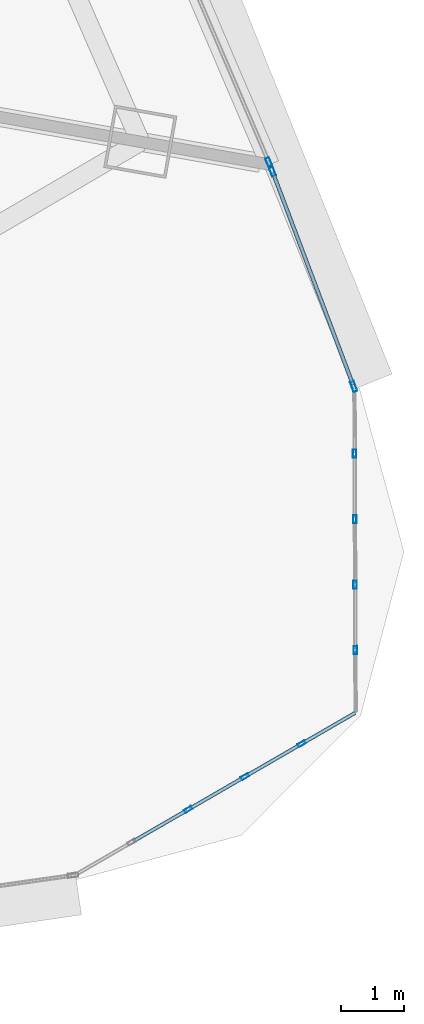
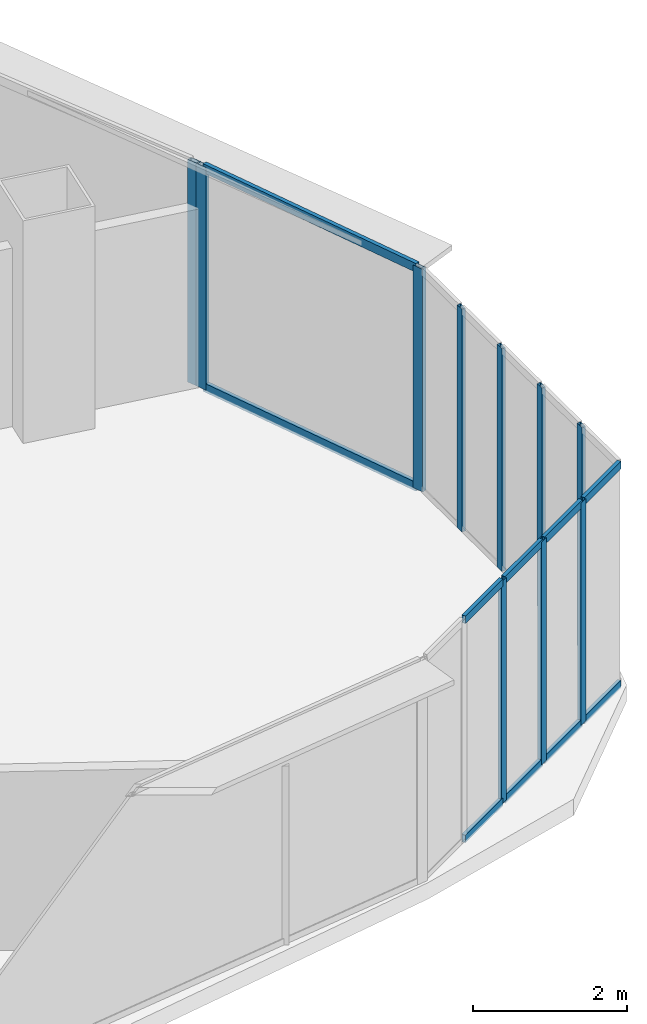
# One storey, part 22 of 39: 20 members, 4 elements without a shape of their own.
"""IFC4 building model written with IfcOpenShell, lengths in metres."""

from ifc_helpers import new_model, si_unit, direction, frame, origin, origin_2d, place, context, subcontext, project, spatial, hollow_rectangle, extrude, source, transform, mapped, material, layer, layer_set, material_profile, profile_set, type_object, element, aggregate, save


model = new_model("IFC4")

# Units and contexts
model_context = context("Model", 3, precision=1e-05, world=origin(), true_north=direction((0.0, 1.0)))
body_context = subcontext(model_context, "Body", "Model", "MODEL_VIEW")
ifc_project = project(units=[si_unit("LENGTHUNIT", "METRE"), si_unit("AREAUNIT", "SQUARE_METRE"), si_unit("VOLUMEUNIT", "CUBIC_METRE"), si_unit("PLANEANGLEUNIT", "RADIAN"), si_unit("MASSUNIT", "GRAM", prefix="KILO"), si_unit("THERMODYNAMICTEMPERATUREUNIT", "KELVIN"), si_unit("POWERUNIT", "WATT")], contexts=[model_context])

# Site, building, storey
site_placement = place(None, origin())
site = spatial("IfcSite", under=ifc_project, at=site_placement, CompositionType="ELEMENT")
building_placement = place(site_placement, origin())
building = spatial("IfcBuilding", under=site, at=building_placement, Name="Yunzhuo Pagoda Commons", CompositionType="ELEMENT")
storey_placement = place(building_placement, frame((0.0, 0.0, 100.179931640625)))
storey = spatial("IfcBuildingStorey", under=building, at=storey_placement, Name="L25", CompositionType="ELEMENT", Elevation=100.179931640625)

# Curtain wall, member
ifc_material = material(Name="Anodized aluminium 6063-T6", Category="aluminium")
ifc_layer_1 = layer(ifc_material, 0.1650390625)
ifc_layer_set_1 = layer_set([ifc_layer_1], Name="Anodized aluminium 6063-T6")
curtain_wall_type_1 = type_object("IfcCurtainWallType", Name="CW-LOW Low-Zone Ribbon Curtain Wall", PredefinedType="NOTDEFINED", material=ifc_layer_set_1)
curtain_wall_1_placement = place(storey_placement, origin())
curtain_wall_1 = element("IfcCurtainWall", 1, at=curtain_wall_1_placement, inside=storey, type_object=curtain_wall_type_1, Name="L25 curtain wall CW-L25-F2B2", PredefinedType="NOTDEFINED")
ifc_material_profile_1 = material_profile(ifc_material, hollow_rectangle(XDim=0.06494140625, YDim=0.1650390625, WallThickness=0.00390625, at=origin_2d()), Name="Anodized aluminium 6063-T6")
ifc_profile_set_1 = profile_set([ifc_material_profile_1], Name="Anodized aluminium 6063-T6")
member_type_1 = type_object("IfcMemberType", Name="CW-LOW-M Mullion RHS 165x65x4", PredefinedType="MULLION", material=ifc_profile_set_1)
shared_shape_1 = source(origin(), body_context, "Body", "SweptSolid", [
    extrude(hollow_rectangle(XDim=0.06494140625, YDim=0.1650390625, WallThickness=0.00390625, at=origin_2d()), origin(), (0.0, 0.0, 1.0), 3.5400390625),
])
member_1_placement = place(storey_placement, frame((88.39111328125, 26.60546875, 0.0), z_axis=(0.0, 0.0, 1.0), x_axis=(-0.919382894415, -0.393363818185, 0.0)))
member_1 = element("IfcMember", 2, at=member_1_placement, type_object=member_type_1, Name="CW mullion 1", PredefinedType="MULLION", context=body_context, shape_type="MappedRepresentation", body=[
    mapped(shared_shape_1, transform((0.0, 0.0, 0.0), scale=1.0)),
])
aggregate(curtain_wall_1, [member_1])

# Curtain wall, members
curtain_wall_2_placement = place(storey_placement, origin())
curtain_wall_2 = element("IfcCurtainWall", 3, at=curtain_wall_2_placement, inside=storey, type_object=curtain_wall_type_1, Name="L25 curtain wall CW-L25-F2B1", PredefinedType="NOTDEFINED")
member_2_placement = place(storey_placement, frame((89.731201171875, 23.062744140625, 0.0), z_axis=(0.0, 0.0, 1.0), x_axis=(-0.935454086355, -0.353448231461, 0.0)))
member_2 = element("IfcMember", 4, at=member_2_placement, type_object=member_type_1, Name="CW mullion 1", PredefinedType="MULLION", context=body_context, shape_type="MappedRepresentation", body=[
    mapped(shared_shape_1, transform((0.0, 0.0, 0.0), scale=1.0)),
])
member_3_placement = place(storey_placement, frame((88.442138671875, 26.47509765625, 0.0), z_axis=(0.0, 0.0, 1.0), x_axis=(-0.935454086355, -0.353448231461, 0.0)))
member_3 = element("IfcMember", 5, at=member_3_placement, type_object=member_type_1, Name="CW mullion 2", PredefinedType="MULLION", context=body_context, shape_type="MappedRepresentation", body=[
    mapped(shared_shape_1, transform((0.0, 0.0, 0.0), scale=1.0)),
])
ifc_material_profile_2 = material_profile(ifc_material, hollow_rectangle(XDim=0.06005859375, YDim=0.139892578125, WallThickness=0.00341796875, at=origin_2d()), Name="Anodized aluminium 6063-T6")
ifc_profile_set_2 = profile_set([ifc_material_profile_2], Name="Anodized aluminium 6063-T6")
member_type_2 = type_object("IfcMemberType", Name="CW-LOW-T Transom RHS 140x60x3.5", PredefinedType="USERDEFINED", material=ifc_profile_set_2)
shared_shape_2 = source(origin(), body_context, "Body", "SweptSolid", [
    extrude(hollow_rectangle(XDim=0.06005859375, YDim=0.139892578125, WallThickness=0.00341796875, at=origin_2d()), origin(), (0.0, 0.0, 1.0), 3.582763671875),
])
member_4_placement = place(storey_placement, frame((89.7197265625, 23.093017578125, 0.030029296875), z_axis=(-0.353452248865, 0.935452568425, 0.0), x_axis=(-0.935452568425, -0.353452248865, 0.0)))
member_4 = element("IfcMember", 6, at=member_4_placement, type_object=member_type_2, Name="CW transom 1.1", ObjectType="TRANSOM", PredefinedType="USERDEFINED", context=body_context, shape_type="MappedRepresentation", body=[
    mapped(shared_shape_2, transform((0.0, 0.0, 0.0), scale=1.0)),
])
member_5_placement = place(storey_placement, frame((89.7197265625, 23.093017578125, 3.510009765625), z_axis=(-0.353452248865, 0.935452568425, 0.0), x_axis=(-0.935452568425, -0.353452248865, 0.0)))
member_5 = element("IfcMember", 7, at=member_5_placement, type_object=member_type_2, Name="CW transom 1.2", ObjectType="TRANSOM", PredefinedType="USERDEFINED", context=body_context, shape_type="MappedRepresentation", body=[
    mapped(shared_shape_2, transform((0.0, 0.0, 0.0), scale=1.0)),
])
aggregate(curtain_wall_2, [member_2, member_3, member_4, member_5])

ifc_layer_2 = layer(ifc_material, 0.1298828125)
ifc_layer_set_2 = layer_set([ifc_layer_2], Name="Anodized aluminium 6063-T6")
curtain_wall_type_2 = type_object("IfcCurtainWallType", Name="CW-VTX Rounded Corner Curtain Wall", PredefinedType="NOTDEFINED", material=ifc_layer_set_2)
curtain_wall_3_placement = place(storey_placement, origin())
curtain_wall_3 = element("IfcCurtainWall", 8, at=curtain_wall_3_placement, inside=storey, type_object=curtain_wall_type_2, Name="L25 curtain wall CW-L25-VTX2S1", PredefinedType="NOTDEFINED")
ifc_material_profile_3 = material_profile(ifc_material, hollow_rectangle(XDim=0.054931640625, YDim=0.1298828125, WallThickness=0.00341796875, at=origin_2d()), Name="Anodized aluminium 6063-T6")
ifc_profile_set_3 = profile_set([ifc_material_profile_3], Name="Anodized aluminium 6063-T6")
member_type_3 = type_object("IfcMemberType", Name="CW-VTX-M Mullion RHS 130x55x3.5", PredefinedType="MULLION", material=ifc_profile_set_3)
shared_shape_3 = source(origin(), body_context, "Body", "SweptSolid", [
    extrude(hollow_rectangle(XDim=0.054931640625, YDim=0.1298828125, WallThickness=0.00341796875, at=origin_2d()), origin(), (0.0, 0.0, 1.0), 3.5400390625),
])
member_6_placement = place(storey_placement, frame((87.112548828125, 16.36767578125, 0.0), z_axis=(0.0, 0.0, 1.0), x_axis=(-0.501035509214, 0.865426726249, 0.0)))
member_6 = element("IfcMember", 9, at=member_6_placement, type_object=member_type_3, Name="CW mullion 3", PredefinedType="MULLION", context=body_context, shape_type="MappedRepresentation", body=[
    mapped(shared_shape_3, transform((0.0, 0.0, 0.0), scale=1.0)),
])
member_7_placement = place(storey_placement, frame((88.0087890625, 16.886474609375, 0.0), z_axis=(0.0, 0.0, 1.0), x_axis=(-0.501035509214, 0.865426726249, 0.0)))
member_7 = element("IfcMember", 10, at=member_7_placement, type_object=member_type_3, Name="CW mullion 4", PredefinedType="MULLION", context=body_context, shape_type="MappedRepresentation", body=[
    mapped(shared_shape_3, transform((0.0, 0.0, 0.0), scale=1.0)),
])
member_8_placement = place(storey_placement, frame((88.905029296875, 17.4052734375, 0.0), z_axis=(0.0, 0.0, 1.0), x_axis=(-0.501035509214, 0.865426726249, 0.0)))
member_8 = element("IfcMember", 11, at=member_8_placement, type_object=member_type_3, Name="CW mullion 5", PredefinedType="MULLION", context=body_context, shape_type="MappedRepresentation", body=[
    mapped(shared_shape_3, transform((0.0, 0.0, 0.0), scale=1.0)),
])

curtain_wall_4_placement = place(storey_placement, origin())
curtain_wall_4 = element("IfcCurtainWall", 12, at=curtain_wall_4_placement, inside=storey, type_object=curtain_wall_type_2, Name="L25 curtain wall CW-L25-VTX2S2", PredefinedType="NOTDEFINED")
member_9_placement = place(storey_placement, frame((89.757568359375, 18.89013671875, 0.0), z_axis=(0.0, 0.0, 1.0), x_axis=(-0.999993616843, -0.003572992237, 0.0)))
member_9 = element("IfcMember", 13, at=member_9_placement, type_object=member_type_3, Name="CW mullion 2", PredefinedType="MULLION", context=body_context, shape_type="MappedRepresentation", body=[
    mapped(shared_shape_3, transform((0.0, 0.0, 0.0), scale=1.0)),
])
member_10_placement = place(storey_placement, frame((89.75390625, 19.92578125, 0.0), z_axis=(0.0, 0.0, 1.0), x_axis=(-0.999993616843, -0.003572992237, 0.0)))
member_10 = element("IfcMember", 14, at=member_10_placement, type_object=member_type_3, Name="CW mullion 3", PredefinedType="MULLION", context=body_context, shape_type="MappedRepresentation", body=[
    mapped(shared_shape_3, transform((0.0, 0.0, 0.0), scale=1.0)),
])
member_11_placement = place(storey_placement, frame((89.75, 20.961181640625, 0.0), z_axis=(0.0, 0.0, 1.0), x_axis=(-0.999993616843, -0.003572992237, 0.0)))
member_11 = element("IfcMember", 15, at=member_11_placement, type_object=member_type_3, Name="CW mullion 4", PredefinedType="MULLION", context=body_context, shape_type="MappedRepresentation", body=[
    mapped(shared_shape_3, transform((0.0, 0.0, 0.0), scale=1.0)),
])
member_12_placement = place(storey_placement, frame((89.746337890625, 21.996826171875, 0.0), z_axis=(0.0, 0.0, 1.0), x_axis=(-0.999993616843, -0.003572992237, 0.0)))
member_12 = element("IfcMember", 16, at=member_12_placement, type_object=member_type_3, Name="CW mullion 5", PredefinedType="MULLION", context=body_context, shape_type="MappedRepresentation", body=[
    mapped(shared_shape_3, transform((0.0, 0.0, 0.0), scale=1.0)),
])
aggregate(curtain_wall_4, [member_9, member_10, member_11, member_12])

# Member
ifc_material_profile_4 = material_profile(ifc_material, hollow_rectangle(XDim=0.054931640625, YDim=0.1201171875, WallThickness=0.00341796875, at=origin_2d()), Name="Anodized aluminium 6063-T6")
ifc_profile_set_4 = profile_set([ifc_material_profile_4], Name="Anodized aluminium 6063-T6")
member_type_4 = type_object("IfcMemberType", Name="CW-VTX-T Transom RHS 120x55x3.5", PredefinedType="USERDEFINED", material=ifc_profile_set_4)
shared_shape_4 = source(origin(), body_context, "Body", "SweptSolid", [
    extrude(hollow_rectangle(XDim=0.054931640625, YDim=0.1201171875, WallThickness=0.00341796875, at=origin_2d()), origin(), (0.0, 0.0, 1.0), 0.980224609375),
])
member_13_placement = place(storey_placement, frame((87.136474609375, 16.38134765625, 0.02783203125), z_axis=(0.865409234617, 0.501065720878, 0.0), x_axis=(-0.501065720878, 0.865409234617, 0.0)))
member_13 = element("IfcMember", 17, at=member_13_placement, type_object=member_type_4, Name="CW transom 3.1", ObjectType="TRANSOM", PredefinedType="USERDEFINED", context=body_context, shape_type="MappedRepresentation", body=[
    mapped(shared_shape_4, transform((0.0, 0.0, 0.0), scale=1.0)),
])

member_14_placement = place(storey_placement, frame((87.136474609375, 16.38134765625, 3.512451171875), z_axis=(0.865409234617, 0.501065720878, 0.0), x_axis=(-0.501065720878, 0.865409234617, 0.0)))
member_14 = element("IfcMember", 18, at=member_14_placement, type_object=member_type_4, Name="CW transom 3.2", ObjectType="TRANSOM", PredefinedType="USERDEFINED", context=body_context, shape_type="MappedRepresentation", body=[
    mapped(shared_shape_4, transform((0.0, 0.0, 0.0), scale=1.0)),
])

shared_shape_5 = source(origin(), body_context, "Body", "SweptSolid", [
    extrude(hollow_rectangle(XDim=0.054931640625, YDim=0.1201171875, WallThickness=0.00341796875, at=origin_2d()), origin(), (0.0, 0.0, 1.0), 0.980712890625),
])
member_15_placement = place(storey_placement, frame((88.032470703125, 16.900390625, 0.02783203125), z_axis=(0.865534204498, 0.500849818651, 0.0), x_axis=(-0.500849818651, 0.865534204498, 0.0)))
member_15 = element("IfcMember", 19, at=member_15_placement, type_object=member_type_4, Name="CW transom 4.1", ObjectType="TRANSOM", PredefinedType="USERDEFINED", context=body_context, shape_type="MappedRepresentation", body=[
    mapped(shared_shape_5, transform((0.0, 0.0, 0.0), scale=1.0)),
])

member_16_placement = place(storey_placement, frame((88.032470703125, 16.900390625, 3.512451171875), z_axis=(0.865534204498, 0.500849818651, 0.0), x_axis=(-0.500849818651, 0.865534204498, 0.0)))
member_16 = element("IfcMember", 20, at=member_16_placement, type_object=member_type_4, Name="CW transom 4.2", ObjectType="TRANSOM", PredefinedType="USERDEFINED", context=body_context, shape_type="MappedRepresentation", body=[
    mapped(shared_shape_5, transform((0.0, 0.0, 0.0), scale=1.0)),
])

shared_shape_6 = source(origin(), body_context, "Body", "SweptSolid", [
    extrude(hollow_rectangle(XDim=0.054931640625, YDim=0.1201171875, WallThickness=0.00341796875, at=origin_2d()), origin(), (0.0, 0.0, 1.0), 0.98046875),
])
member_17_placement = place(storey_placement, frame((86.240234375, 15.862548828125, 0.02783203125), z_axis=(0.865471739755, 0.500957750399, 0.0), x_axis=(-0.500957750399, 0.865471739755, 0.0)))
member_17 = element("IfcMember", 21, at=member_17_placement, type_object=member_type_4, Name="CW transom 2.1", ObjectType="TRANSOM", PredefinedType="USERDEFINED", context=body_context, shape_type="MappedRepresentation", body=[
    mapped(shared_shape_6, transform((0.0, 0.0, 0.0), scale=1.0)),
])

member_18_placement = place(storey_placement, frame((86.240234375, 15.862548828125, 3.512451171875), z_axis=(0.865471739755, 0.500957750399, 0.0), x_axis=(-0.500957750399, 0.865471739755, 0.0)))
member_18 = element("IfcMember", 22, at=member_18_placement, type_object=member_type_4, Name="CW transom 2.2", ObjectType="TRANSOM", PredefinedType="USERDEFINED", context=body_context, shape_type="MappedRepresentation", body=[
    mapped(shared_shape_6, transform((0.0, 0.0, 0.0), scale=1.0)),
])

shared_shape_7 = source(origin(), body_context, "Body", "SweptSolid", [
    extrude(hollow_rectangle(XDim=0.054931640625, YDim=0.1201171875, WallThickness=0.00341796875, at=origin_2d()), origin(), (0.0, 0.0, 1.0), 0.952880859375),
])
member_19_placement = place(storey_placement, frame((88.9287109375, 17.4189453125, 0.02783203125), z_axis=(0.865391204156, 0.501096860666, 0.0), x_axis=(-0.501096860666, 0.865391204156, 0.0)))
member_19 = element("IfcMember", 23, at=member_19_placement, type_object=member_type_4, Name="CW transom 5.1", ObjectType="TRANSOM", PredefinedType="USERDEFINED", context=body_context, shape_type="MappedRepresentation", body=[
    mapped(shared_shape_7, transform((0.0, 0.0, 0.0), scale=1.0)),
])

member_20_placement = place(storey_placement, frame((88.9287109375, 17.4189453125, 3.512451171875), z_axis=(0.865391204156, 0.501096860666, 0.0), x_axis=(-0.501096860666, 0.865391204156, 0.0)))
member_20 = element("IfcMember", 24, at=member_20_placement, type_object=member_type_4, Name="CW transom 5.2", ObjectType="TRANSOM", PredefinedType="USERDEFINED", context=body_context, shape_type="MappedRepresentation", body=[
    mapped(shared_shape_7, transform((0.0, 0.0, 0.0), scale=1.0)),
])

aggregate(curtain_wall_3, [member_6, member_7, member_8, member_17, member_18, member_13, member_14, member_15, member_16, member_19, member_20])

save(model, "model.ifc")
